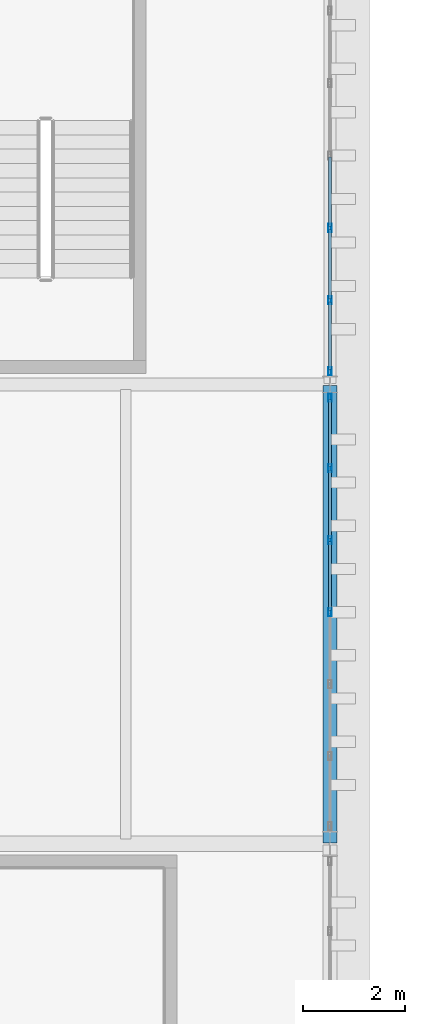
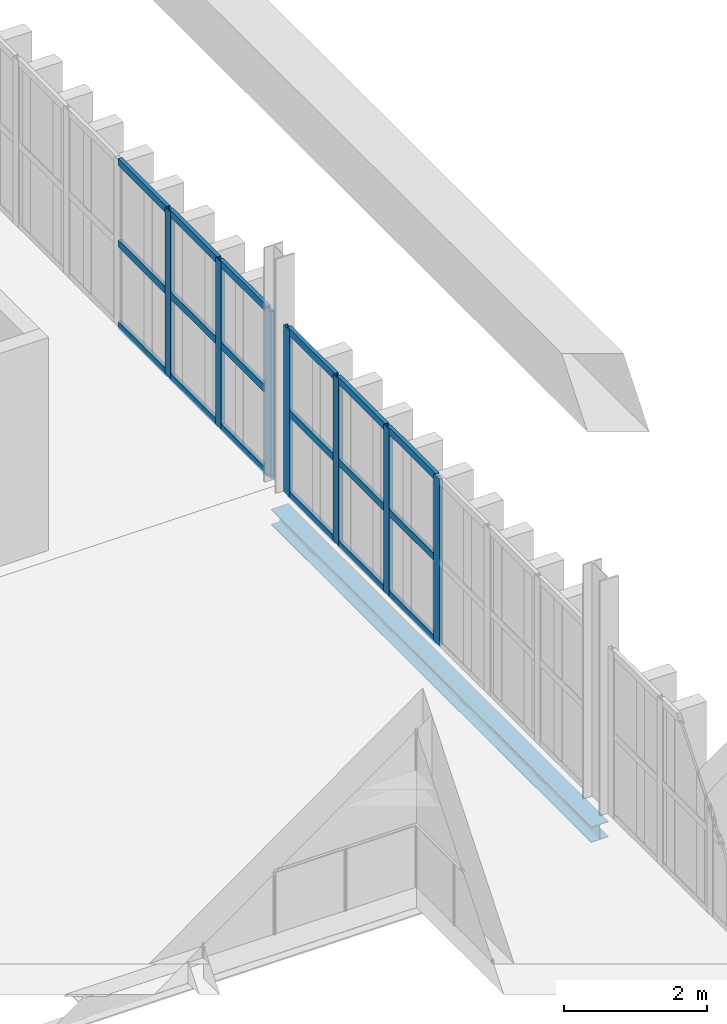
# One storey, part 51 of 102: 25 members, 1 beam, 2 elements without a shape of their own.
"""IFC4 building model written with IfcOpenShell, lengths in metres."""

import ifcopenshell
import ifcopenshell.guid

model = None  # the IFC model being written
_history = None  # IfcOwnerHistory: only IFC2X3 demands one
_inside = {}  # id of a spatial element -> (the spatial element, [elements in it])
_under = {}  # id of a project, library or spatial element -> (it, [spatial elements below it])
_declared = {}  # id of a project -> (the project, [libraries it declares])
_typed = {}  # id of a type object -> (the type object, [elements of that type])
_made_of = {}  # id of a material, layer set ... -> (it, [elements and type objects made of it])


def new_model(schema):
    """Start an empty IFC model of exactly this schema.

    Asked for "IFC4X3", IfcOpenShell would pick the latest addendum, in which some entities
    have other attributes; the version numbers below select the first issue.
    IFC2X3 requires an IfcOwnerHistory on every rooted entity: one is made here for all.
    """
    global model, _history
    if schema == "IFC4X3":
        model = ifcopenshell.file(schema_version=(4, 3, 0, 0))
    else:
        model = ifcopenshell.file(schema=schema)
    _inside.clear()
    _under.clear()
    _declared.clear()
    _typed.clear()
    _made_of.clear()
    _history = None
    if model.schema == "IFC2X3":
        org = make("IfcOrganization", Name="unknown")
        user = make(
            "IfcPersonAndOrganization",
            ThePerson=make("IfcPerson", FamilyName="unknown"),
            TheOrganization=org,
        )
        app = make(
            "IfcApplication",
            ApplicationDeveloper=org,
            Version="unknown",
            ApplicationFullName="unknown",
            ApplicationIdentifier="unknown",
        )
        _history = make(
            "IfcOwnerHistory",
            OwningUser=user,
            OwningApplication=app,
            ChangeAction="ADDED",
            CreationDate=0,
        )
    return model


def make(cls, **values):
    """One entity of the class cls with the attributes given. An attribute that is None is left unset."""
    return model.create_entity(
        cls, **{name: value for name, value in values.items() if value is not None}
    )


def rooted(cls, **values):
    """An entity with a GlobalId (a new one), such as an element, a storey or a relation."""
    return make(cls, GlobalId=ifcopenshell.guid.new(), OwnerHistory=_history, **values)


def si_unit(unit_type, name, prefix=None):
    """IfcSIUnit, for example si_unit("LENGTHUNIT", "METRE", prefix="MILLI")."""
    return make("IfcSIUnit", UnitType=unit_type, Prefix=prefix, Name=name)


def assignment(units):
    """IfcUnitAssignment: the units of a project."""
    return None if units is None else make("IfcUnitAssignment", Units=units)


def point(xyz):
    """IfcCartesianPoint."""
    return None if xyz is None else make("IfcCartesianPoint", Coordinates=xyz)


def direction(xyz):
    """IfcDirection."""
    return None if xyz is None else make("IfcDirection", DirectionRatios=xyz)


def frame(location, z_axis=None, x_axis=None):
    """IfcAxis2Placement3D, a coordinate frame: its origin and axes. An axis left out is left unset."""
    return make(
        "IfcAxis2Placement3D",
        Location=point(location),
        Axis=direction(z_axis),
        RefDirection=direction(x_axis),
    )


def frame_2d(location, x_axis=None):
    """IfcAxis2Placement2D, a coordinate frame in the plane: its origin and x axis."""
    return make(
        "IfcAxis2Placement2D", Location=point(location), RefDirection=direction(x_axis)
    )


def origin():
    """The frame at (0, 0, 0) with its axes left unset."""
    return frame((0.0, 0.0, 0.0))


def origin_2d():
    """The frame at (0, 0) in the plane with its x axis left unset."""
    return frame_2d((0.0, 0.0))


def place(relative_to, where):
    """IfcLocalPlacement: puts the frame where relative to a parent placement (None: the world)."""
    return make(
        "IfcLocalPlacement", PlacementRelTo=relative_to, RelativePlacement=where
    )


def context(
    kind, dimensions, precision=None, world=None, true_north=None, identifier=None
):
    """IfcGeometricRepresentationContext, for example the 3D "Model" context."""
    return make(
        "IfcGeometricRepresentationContext",
        ContextIdentifier=identifier,
        ContextType=kind,
        CoordinateSpaceDimension=dimensions,
        Precision=precision,
        WorldCoordinateSystem=world,
        TrueNorth=true_north,
    )


def subcontext(parent, identifier, kind, view, scale=None):
    """IfcGeometricRepresentationSubContext, for example "Body" below "Model"."""
    return make(
        "IfcGeometricRepresentationSubContext",
        ContextIdentifier=identifier,
        ContextType=kind,
        ParentContext=parent,
        TargetScale=scale,
        TargetView=view,
    )


def project(units=None, contexts=None):
    """IfcProject with its units and contexts."""
    return rooted(
        "IfcProject",
        Name="project",
        RepresentationContexts=contexts,
        UnitsInContext=assignment(units),
    )


def spatial(cls, under=None, at=None, **own):
    """A site, building, storey or space (cls), placed at a placement, below another one or the project."""
    s = rooted(cls, ObjectPlacement=at, **own)
    if under is not None:
        _under.setdefault(under.id(), (under, []))[1].append(s)
    return s


def profile(cls, at=None, kind="AREA", **sizes):
    """A parametric profile (cls). Its sizes go by their IFC names, for example OverallWidth=200.0."""
    return make(cls, ProfileType=kind, Position=at, **sizes)


def hollow_rectangle(**sizes):
    """IfcRectangleHollowProfileDef."""
    return profile("IfcRectangleHollowProfileDef", **sizes)


def i_section(**sizes):
    """IfcIShapeProfileDef."""
    return profile("IfcIShapeProfileDef", **sizes)


def extrude(swept, where, along, depth):
    """IfcExtrudedAreaSolid: the profile swept, set in the frame where, extruded along a direction by depth."""
    return make(
        "IfcExtrudedAreaSolid",
        SweptArea=swept,
        Position=where,
        ExtrudedDirection=direction(along),
        Depth=depth,
    )


def shape(context_of_items, identifier, shape_type, items):
    """IfcShapeRepresentation: the items that make up one representation, for example the "Body"."""
    return make(
        "IfcShapeRepresentation",
        ContextOfItems=context_of_items,
        RepresentationIdentifier=identifier,
        RepresentationType=shape_type,
        Items=items,
    )


def material(Name=None, Category=None):
    """IfcMaterial."""
    return make("IfcMaterial", Name=Name, Category=Category)


def layer(
    of_material, thickness, ventilated=None, Name=None, Category=None, Priority=None
):
    """IfcMaterialLayer: one layer of a wall or slab, of a material (None: an air gap)."""
    return make(
        "IfcMaterialLayer",
        Material=of_material,
        LayerThickness=thickness,
        IsVentilated=ventilated,
        Name=Name,
        Category=Category,
        Priority=Priority,
    )


def layer_set(layers, Name=None):
    """IfcMaterialLayerSet."""
    return make("IfcMaterialLayerSet", MaterialLayers=layers, LayerSetName=Name)


def material_profile(
    of_material, cross_section, Name=None, Category=None, Priority=None
):
    """IfcMaterialProfile: a cross section and its material."""
    return make(
        "IfcMaterialProfile",
        Name=Name,
        Material=of_material,
        Profile=cross_section,
        Priority=Priority,
        Category=Category,
    )


def profile_set(profiles, Name=None, composite=None):
    """IfcMaterialProfileSet."""
    return make(
        "IfcMaterialProfileSet",
        Name=Name,
        MaterialProfiles=profiles,
        CompositeProfile=composite,
    )


def made_of(thing, what):
    """Note that an element or type object is made of a material, layer set ...; save() writes the relation."""
    if what is not None:
        _made_of.setdefault(what.id(), (what, []))[1].append(thing)
    return thing


def type_object(cls, material=None, **own):
    """A type object (cls), such as IfcWallType, which elements share."""
    return made_of(rooted(cls, **own), material)


def element(
    cls,
    number,
    at=None,
    inside=None,
    cuts=None,
    type_object=None,
    material=None,
    context=None,
    identifier="Body",
    shape_type=None,
    held_by="IfcProductDefinitionShape",
    body=None,
    shapes=None,
    **own,
):
    """One element of the class cls, such as IfcWall. Its Tag is "e" and its number.

    at: its placement. inside: the storey or other place that contains it. cuts: it is an
    opening in that element (IfcRelVoidsElement). A single representation is given by context,
    identifier, shape_type and body (its items); several are given by shapes. held_by: the class
    of the entity that holds the representations. save() writes the other relations.
    """
    e = rooted(cls, Tag="e%d" % number, ObjectPlacement=at, **own)
    if body is not None:
        shapes = [shape(context, identifier, shape_type, body)]
    if shapes is not None:
        e.Representation = make(held_by, Representations=shapes)
    if inside is not None:
        _inside.setdefault(inside.id(), (inside, []))[1].append(e)
    if cuts is not None:
        rooted(
            "IfcRelVoidsElement", RelatingBuildingElement=cuts, RelatedOpeningElement=e
        )
    if type_object is not None:
        _typed.setdefault(type_object.id(), (type_object, []))[1].append(e)
    return made_of(e, material)


def aggregate(whole, parts):
    """IfcRelAggregates: a whole, such as a stair, and the parts it consists of."""
    return rooted("IfcRelAggregates", RelatingObject=whole, RelatedObjects=parts)


def save(model, path):
    """Write the relations noted so far, then the file.

    IfcRelAggregates (storeys below a building ...), IfcRelContainedInSpatialStructure (elements
    in a storey), IfcRelDefinesByType, IfcRelAssociatesMaterial and IfcRelDeclares: one each for
    every whole, place, type object, material and project.
    """
    for whole, parts in _under.values():
        aggregate(whole, parts)
    for where, things in _inside.values():
        rooted(
            "IfcRelContainedInSpatialStructure",
            RelatedElements=things,
            RelatingStructure=where,
        )
    for kind, things in _typed.values():
        rooted("IfcRelDefinesByType", RelatedObjects=things, RelatingType=kind)
    for what, things in _made_of.values():
        rooted("IfcRelAssociatesMaterial", RelatedObjects=things, RelatingMaterial=what)
    for by, libraries in _declared.values():
        rooted("IfcRelDeclares", RelatingContext=by, RelatedDefinitions=libraries)
    model.write(path)


model = new_model("IFC4")

# Units and contexts
model_context = context("Model", 3, precision=1e-05, world=origin(), true_north=direction((0.0, 1.0)))
body_context = subcontext(model_context, "Body", "Model", "MODEL_VIEW")
ifc_project = project(units=[si_unit("LENGTHUNIT", "METRE"), si_unit("AREAUNIT", "SQUARE_METRE"), si_unit("VOLUMEUNIT", "CUBIC_METRE"), si_unit("PLANEANGLEUNIT", "RADIAN"), si_unit("MASSUNIT", "GRAM", prefix="KILO")], contexts=[model_context])

# Site, building, storey
site_placement = place(None, origin())
site = spatial("IfcSite", under=ifc_project, at=site_placement, CompositionType="ELEMENT")
building_placement = place(site_placement, origin())
building = spatial("IfcBuilding", under=site, at=building_placement, Name="Barlavento Convention Centre", CompositionType="ELEMENT")
storey_placement = place(building_placement, frame((0.0, 0.0, 22.800048828125)))
storey = spatial("IfcBuildingStorey", under=building, at=storey_placement, Name="L04", CompositionType="ELEMENT", Elevation=22.800048828125)

# Curtain wall, members
ifc_material_1 = material(Name="Powder-coated aluminium and Low-E glass", Category="aluminium")
ifc_layer = layer(ifc_material_1, 0.18505859375)
ifc_layer_set = layer_set([ifc_layer], Name="ARC-CW-CONF-L04")
curtain_wall_type = type_object("IfcCurtainWallType", Name="ARC-CW-CONF-L04", PredefinedType="NOTDEFINED", material=ifc_layer_set)
curtain_wall_1_placement = place(storey_placement, origin())
curtain_wall_1 = element("IfcCurtainWall", 1, at=curtain_wall_1_placement, inside=storey, type_object=curtain_wall_type, Name="L04 unitised curtain wall CW09", PredefinedType="NOTDEFINED")
ifc_material_2 = material(Name="Powder-coated aluminium", Category="aluminium")
ifc_material_profile_1 = material_profile(ifc_material_2, hollow_rectangle(XDim=0.06005859375, YDim=0.159912109375, WallThickness=0.00390625, at=origin_2d()), Name="AL-MULL 60x160x4")
ifc_profile_set_1 = profile_set([ifc_material_profile_1], Name="Powder-coated aluminium")
member_type_1 = type_object("IfcMemberType", Name="ARC-CWM-60X160", PredefinedType="MULLION", material=ifc_profile_set_1)
member_1_placement = place(storey_placement, frame((192.0, 49.5400390625, 0.0), z_axis=(0.0, 0.0, 1.0), x_axis=(-1.0, 0.0, 0.0)))
member_1 = element("IfcMember", 2, at=member_1_placement, type_object=member_type_1, Name="CW09 mullion 4", PredefinedType="MULLION", context=body_context, shape_type="SweptSolid", body=[
    extrude(hollow_rectangle(XDim=0.06005859375, YDim=0.159912109375, WallThickness=0.00390625, at=origin_2d()), origin(), (0.0, 0.0, 1.0), 2.849853515625),
])
member_2_placement = place(storey_placement, frame((192.0, 50.949951171875, 0.0), z_axis=(0.0, 0.0, 1.0), x_axis=(-1.0, 0.0, 0.0)))
member_2 = element("IfcMember", 3, at=member_2_placement, type_object=member_type_1, Name="CW09 mullion 5", PredefinedType="MULLION", context=body_context, shape_type="SweptSolid", body=[
    extrude(hollow_rectangle(XDim=0.06005859375, YDim=0.159912109375, WallThickness=0.00390625, at=origin_2d()), origin(), (0.0, 0.0, 1.0), 2.849853515625),
])
member_3_placement = place(storey_placement, frame((192.0, 52.360107421875, 0.0), z_axis=(0.0, 0.0, 1.0), x_axis=(-1.0, 0.0, 0.0)))
member_3 = element("IfcMember", 4, at=member_3_placement, type_object=member_type_1, Name="CW09 mullion 6", PredefinedType="MULLION", context=body_context, shape_type="SweptSolid", body=[
    extrude(hollow_rectangle(XDim=0.06005859375, YDim=0.159912109375, WallThickness=0.00390625, at=origin_2d()), origin(), (0.0, 0.0, 1.0), 2.849853515625),
])
member_4_placement = place(storey_placement, frame((192.0, 53.739990234375, 0.0), z_axis=(0.0, 0.0, 1.0), x_axis=(-1.0, 0.0, 0.0)))
member_4 = element("IfcMember", 5, at=member_4_placement, type_object=member_type_1, Name="CW09 mullion 7", PredefinedType="MULLION", context=body_context, shape_type="SweptSolid", body=[
    extrude(hollow_rectangle(XDim=0.06005859375, YDim=0.159912109375, WallThickness=0.00390625, at=origin_2d()), origin(), (0.0, 0.0, 1.0), 2.849853515625),
])

curtain_wall_2_placement = place(storey_placement, origin())
curtain_wall_2 = element("IfcCurtainWall", 6, at=curtain_wall_2_placement, inside=storey, type_object=curtain_wall_type, Name="L04 unitised curtain wall CW09", PredefinedType="NOTDEFINED")
member_5_placement = place(storey_placement, frame((192.0, 54.260009765625, 0.0), z_axis=(0.0, 0.0, 1.0), x_axis=(-1.0, 0.0, 0.0)))
member_5 = element("IfcMember", 7, at=member_5_placement, type_object=member_type_1, Name="CW09 mullion 1", PredefinedType="MULLION", context=body_context, shape_type="SweptSolid", body=[
    extrude(hollow_rectangle(XDim=0.06005859375, YDim=0.159912109375, WallThickness=0.00390625, at=origin_2d()), origin(), (0.0, 0.0, 1.0), 2.849853515625),
])
member_6_placement = place(storey_placement, frame((192.0, 55.6484375, 0.0), z_axis=(0.0, 0.0, 1.0), x_axis=(-1.0, 0.0, 0.0)))
member_6 = element("IfcMember", 8, at=member_6_placement, type_object=member_type_1, Name="CW09 mullion 2", PredefinedType="MULLION", context=body_context, shape_type="SweptSolid", body=[
    extrude(hollow_rectangle(XDim=0.06005859375, YDim=0.159912109375, WallThickness=0.00390625, at=origin_2d()), origin(), (0.0, 0.0, 1.0), 2.849853515625),
])
member_7_placement = place(storey_placement, frame((192.0, 57.066650390625, 0.0), z_axis=(0.0, 0.0, 1.0), x_axis=(-1.0, 0.0, 0.0)))
member_7 = element("IfcMember", 9, at=member_7_placement, type_object=member_type_1, Name="CW09 mullion 3", PredefinedType="MULLION", context=body_context, shape_type="SweptSolid", body=[
    extrude(hollow_rectangle(XDim=0.06005859375, YDim=0.159912109375, WallThickness=0.00390625, at=origin_2d()), origin(), (0.0, 0.0, 1.0), 2.849853515625),
])

# Member
ifc_material_profile_2 = material_profile(ifc_material_2, hollow_rectangle(XDim=0.06005859375, YDim=0.1201171875, WallThickness=0.00390625, at=origin_2d()), Name="AL-TRAN 60x120x4")
ifc_profile_set_2 = profile_set([ifc_material_profile_2], Name="Powder-coated aluminium")
member_type_2 = type_object("IfcMemberType", Name="ARC-CWT-60X120", PredefinedType="USERDEFINED", material=ifc_profile_set_2)
member_8_placement = place(storey_placement, frame((192.0, 49.570068359375, 0.030029296875), z_axis=(0.0, 1.0, 0.0), x_axis=(-1.0, 0.0, 0.0)))
member_8 = element("IfcMember", 10, at=member_8_placement, type_object=member_type_2, Name="CW09 transom 4.1", ObjectType="TRANSOM", PredefinedType="USERDEFINED", context=body_context, shape_type="SweptSolid", body=[
    extrude(hollow_rectangle(XDim=0.06005859375, YDim=0.1201171875, WallThickness=0.00390625, at=origin_2d()), origin(), (0.0, 0.0, 1.0), 1.349853515625),
])

member_9_placement = place(storey_placement, frame((192.0, 49.570068359375, 1.425048828125), z_axis=(0.0, 1.0, 0.0), x_axis=(-1.0, 0.0, 0.0)))
member_9 = element("IfcMember", 11, at=member_9_placement, type_object=member_type_2, Name="CW09 transom 4.2", ObjectType="TRANSOM", PredefinedType="USERDEFINED", context=body_context, shape_type="SweptSolid", body=[
    extrude(hollow_rectangle(XDim=0.06005859375, YDim=0.1201171875, WallThickness=0.00390625, at=origin_2d()), origin(), (0.0, 0.0, 1.0), 1.349853515625),
])

member_10_placement = place(storey_placement, frame((192.0, 49.570068359375, 2.820068359375), z_axis=(0.0, 1.0, 0.0), x_axis=(-1.0, 0.0, 0.0)))
member_10 = element("IfcMember", 12, at=member_10_placement, type_object=member_type_2, Name="CW09 transom 4.3", ObjectType="TRANSOM", PredefinedType="USERDEFINED", context=body_context, shape_type="SweptSolid", body=[
    extrude(hollow_rectangle(XDim=0.06005859375, YDim=0.1201171875, WallThickness=0.00390625, at=origin_2d()), origin(), (0.0, 0.0, 1.0), 1.349853515625),
])

member_11_placement = place(storey_placement, frame((192.0, 50.97998046875, 0.030029296875), z_axis=(0.0, 1.0, 0.0), x_axis=(-1.0, 0.0, 0.0)))
member_11 = element("IfcMember", 13, at=member_11_placement, type_object=member_type_2, Name="CW09 transom 5.1", ObjectType="TRANSOM", PredefinedType="USERDEFINED", context=body_context, shape_type="SweptSolid", body=[
    extrude(hollow_rectangle(XDim=0.06005859375, YDim=0.1201171875, WallThickness=0.00390625, at=origin_2d()), origin(), (0.0, 0.0, 1.0), 1.35009765625),
])

member_12_placement = place(storey_placement, frame((192.0, 50.97998046875, 1.425048828125), z_axis=(0.0, 1.0, 0.0), x_axis=(-1.0, 0.0, 0.0)))
member_12 = element("IfcMember", 14, at=member_12_placement, type_object=member_type_2, Name="CW09 transom 5.2", ObjectType="TRANSOM", PredefinedType="USERDEFINED", context=body_context, shape_type="SweptSolid", body=[
    extrude(hollow_rectangle(XDim=0.06005859375, YDim=0.1201171875, WallThickness=0.00390625, at=origin_2d()), origin(), (0.0, 0.0, 1.0), 1.35009765625),
])

member_13_placement = place(storey_placement, frame((192.0, 50.97998046875, 2.820068359375), z_axis=(0.0, 1.0, 0.0), x_axis=(-1.0, 0.0, 0.0)))
member_13 = element("IfcMember", 15, at=member_13_placement, type_object=member_type_2, Name="CW09 transom 5.3", ObjectType="TRANSOM", PredefinedType="USERDEFINED", context=body_context, shape_type="SweptSolid", body=[
    extrude(hollow_rectangle(XDim=0.06005859375, YDim=0.1201171875, WallThickness=0.00390625, at=origin_2d()), origin(), (0.0, 0.0, 1.0), 1.35009765625),
])

member_14_placement = place(storey_placement, frame((192.0, 52.389892578125, 0.030029296875), z_axis=(0.0, 1.0, 0.0), x_axis=(-1.0, 0.0, 0.0)))
member_14 = element("IfcMember", 16, at=member_14_placement, type_object=member_type_2, Name="CW09 transom 6.1", ObjectType="TRANSOM", PredefinedType="USERDEFINED", context=body_context, shape_type="SweptSolid", body=[
    extrude(hollow_rectangle(XDim=0.06005859375, YDim=0.1201171875, WallThickness=0.00390625, at=origin_2d()), origin(), (0.0, 0.0, 1.0), 1.320068359375),
])

member_15_placement = place(storey_placement, frame((192.0, 52.389892578125, 1.425048828125), z_axis=(0.0, 1.0, 0.0), x_axis=(-1.0, 0.0, 0.0)))
member_15 = element("IfcMember", 17, at=member_15_placement, type_object=member_type_2, Name="CW09 transom 6.2", ObjectType="TRANSOM", PredefinedType="USERDEFINED", context=body_context, shape_type="SweptSolid", body=[
    extrude(hollow_rectangle(XDim=0.06005859375, YDim=0.1201171875, WallThickness=0.00390625, at=origin_2d()), origin(), (0.0, 0.0, 1.0), 1.320068359375),
])

member_16_placement = place(storey_placement, frame((192.0, 52.389892578125, 2.820068359375), z_axis=(0.0, 1.0, 0.0), x_axis=(-1.0, 0.0, 0.0)))
member_16 = element("IfcMember", 18, at=member_16_placement, type_object=member_type_2, Name="CW09 transom 6.3", ObjectType="TRANSOM", PredefinedType="USERDEFINED", context=body_context, shape_type="SweptSolid", body=[
    extrude(hollow_rectangle(XDim=0.06005859375, YDim=0.1201171875, WallThickness=0.00390625, at=origin_2d()), origin(), (0.0, 0.0, 1.0), 1.320068359375),
])

aggregate(curtain_wall_1, [member_1, member_2, member_3, member_4, member_8, member_9, member_10, member_11, member_12, member_13, member_14, member_15, member_16])

member_17_placement = place(storey_placement, frame((192.0, 54.2900390625, 0.030029296875), z_axis=(0.0, 1.0, 0.0), x_axis=(-1.0, 0.0, 0.0)))
member_17 = element("IfcMember", 19, at=member_17_placement, type_object=member_type_2, Name="CW09 transom 1.1", ObjectType="TRANSOM", PredefinedType="USERDEFINED", context=body_context, shape_type="SweptSolid", body=[
    extrude(hollow_rectangle(XDim=0.06005859375, YDim=0.1201171875, WallThickness=0.00390625, at=origin_2d()), origin(), (0.0, 0.0, 1.0), 1.328369140625),
])

member_18_placement = place(storey_placement, frame((192.0, 54.2900390625, 1.425048828125), z_axis=(0.0, 1.0, 0.0), x_axis=(-1.0, 0.0, 0.0)))
member_18 = element("IfcMember", 20, at=member_18_placement, type_object=member_type_2, Name="CW09 transom 1.2", ObjectType="TRANSOM", PredefinedType="USERDEFINED", context=body_context, shape_type="SweptSolid", body=[
    extrude(hollow_rectangle(XDim=0.06005859375, YDim=0.1201171875, WallThickness=0.00390625, at=origin_2d()), origin(), (0.0, 0.0, 1.0), 1.328369140625),
])

member_19_placement = place(storey_placement, frame((192.0, 54.2900390625, 2.820068359375), z_axis=(0.0, 1.0, 0.0), x_axis=(-1.0, 0.0, 0.0)))
member_19 = element("IfcMember", 21, at=member_19_placement, type_object=member_type_2, Name="CW09 transom 1.3", ObjectType="TRANSOM", PredefinedType="USERDEFINED", context=body_context, shape_type="SweptSolid", body=[
    extrude(hollow_rectangle(XDim=0.06005859375, YDim=0.1201171875, WallThickness=0.00390625, at=origin_2d()), origin(), (0.0, 0.0, 1.0), 1.328369140625),
])

member_20_placement = place(storey_placement, frame((192.0, 55.67822265625, 0.030029296875), z_axis=(0.0, 1.0, 0.0), x_axis=(-1.0, 0.0, 0.0)))
member_20 = element("IfcMember", 22, at=member_20_placement, type_object=member_type_2, Name="CW09 transom 2.1", ObjectType="TRANSOM", PredefinedType="USERDEFINED", context=body_context, shape_type="SweptSolid", body=[
    extrude(hollow_rectangle(XDim=0.06005859375, YDim=0.1201171875, WallThickness=0.00390625, at=origin_2d()), origin(), (0.0, 0.0, 1.0), 1.3583984375),
])

member_21_placement = place(storey_placement, frame((192.0, 55.67822265625, 1.425048828125), z_axis=(0.0, 1.0, 0.0), x_axis=(-1.0, 0.0, 0.0)))
member_21 = element("IfcMember", 23, at=member_21_placement, type_object=member_type_2, Name="CW09 transom 2.2", ObjectType="TRANSOM", PredefinedType="USERDEFINED", context=body_context, shape_type="SweptSolid", body=[
    extrude(hollow_rectangle(XDim=0.06005859375, YDim=0.1201171875, WallThickness=0.00390625, at=origin_2d()), origin(), (0.0, 0.0, 1.0), 1.3583984375),
])

member_22_placement = place(storey_placement, frame((192.0, 55.67822265625, 2.820068359375), z_axis=(0.0, 1.0, 0.0), x_axis=(-1.0, 0.0, 0.0)))
member_22 = element("IfcMember", 24, at=member_22_placement, type_object=member_type_2, Name="CW09 transom 2.3", ObjectType="TRANSOM", PredefinedType="USERDEFINED", context=body_context, shape_type="SweptSolid", body=[
    extrude(hollow_rectangle(XDim=0.06005859375, YDim=0.1201171875, WallThickness=0.00390625, at=origin_2d()), origin(), (0.0, 0.0, 1.0), 1.3583984375),
])

member_23_placement = place(storey_placement, frame((192.0, 57.0966796875, 0.030029296875), z_axis=(0.0, 1.0, 0.0), x_axis=(-1.0, 0.0, 0.0)))
member_23 = element("IfcMember", 25, at=member_23_placement, type_object=member_type_2, Name="CW09 transom 3.1", ObjectType="TRANSOM", PredefinedType="USERDEFINED", context=body_context, shape_type="SweptSolid", body=[
    extrude(hollow_rectangle(XDim=0.06005859375, YDim=0.1201171875, WallThickness=0.00390625, at=origin_2d()), origin(), (0.0, 0.0, 1.0), 1.3583984375),
])

member_24_placement = place(storey_placement, frame((192.0, 57.0966796875, 1.425048828125), z_axis=(0.0, 1.0, 0.0), x_axis=(-1.0, 0.0, 0.0)))
member_24 = element("IfcMember", 26, at=member_24_placement, type_object=member_type_2, Name="CW09 transom 3.2", ObjectType="TRANSOM", PredefinedType="USERDEFINED", context=body_context, shape_type="SweptSolid", body=[
    extrude(hollow_rectangle(XDim=0.06005859375, YDim=0.1201171875, WallThickness=0.00390625, at=origin_2d()), origin(), (0.0, 0.0, 1.0), 1.3583984375),
])

member_25_placement = place(storey_placement, frame((192.0, 57.0966796875, 2.820068359375), z_axis=(0.0, 1.0, 0.0), x_axis=(-1.0, 0.0, 0.0)))
member_25 = element("IfcMember", 27, at=member_25_placement, type_object=member_type_2, Name="CW09 transom 3.3", ObjectType="TRANSOM", PredefinedType="USERDEFINED", context=body_context, shape_type="SweptSolid", body=[
    extrude(hollow_rectangle(XDim=0.06005859375, YDim=0.1201171875, WallThickness=0.00390625, at=origin_2d()), origin(), (0.0, 0.0, 1.0), 1.3583984375),
])

aggregate(curtain_wall_2, [member_5, member_6, member_7, member_17, member_18, member_19, member_20, member_21, member_22, member_23, member_24, member_25])

# Beam
ifc_material_3 = material(Name="Steel S355", Category="steel")
ifc_material_profile_3 = material_profile(ifc_material_3, i_section(OverallWidth=0.280029296875, OverallDepth=0.27001953125, WebThickness=0.008056640625, FlangeThickness=0.012939453125, FilletRadius=0.02392578125, at=origin_2d()), Name="HEA 280")
ifc_profile_set_3 = profile_set([ifc_material_profile_3], Name="Steel S355")
beam_type = type_object("IfcBeamType", Name="STR-BM-SPN-HEA280", PredefinedType="SPANDREL", material=ifc_profile_set_3)
beam_placement = place(storey_placement, frame((192.0, 45.02001953125, -0.4951171875), z_axis=(0.0, 1.0, 0.0), x_axis=(-1.0, 0.0, 0.0)))
element("IfcBeam", 28, at=beam_placement, inside=storey, type_object=beam_type, Name="L04 grid girder SP03", PredefinedType="SPANDREL", context=body_context, shape_type="SweptSolid", body=[
    extrude(i_section(OverallWidth=0.280029296875, OverallDepth=0.27001953125, WebThickness=0.008056640625, FlangeThickness=0.012939453125, FilletRadius=0.02392578125, at=origin_2d()), origin(), (0.0, 0.0, 1.0), 8.9599609375),
])

save(model, "model.ifc")
